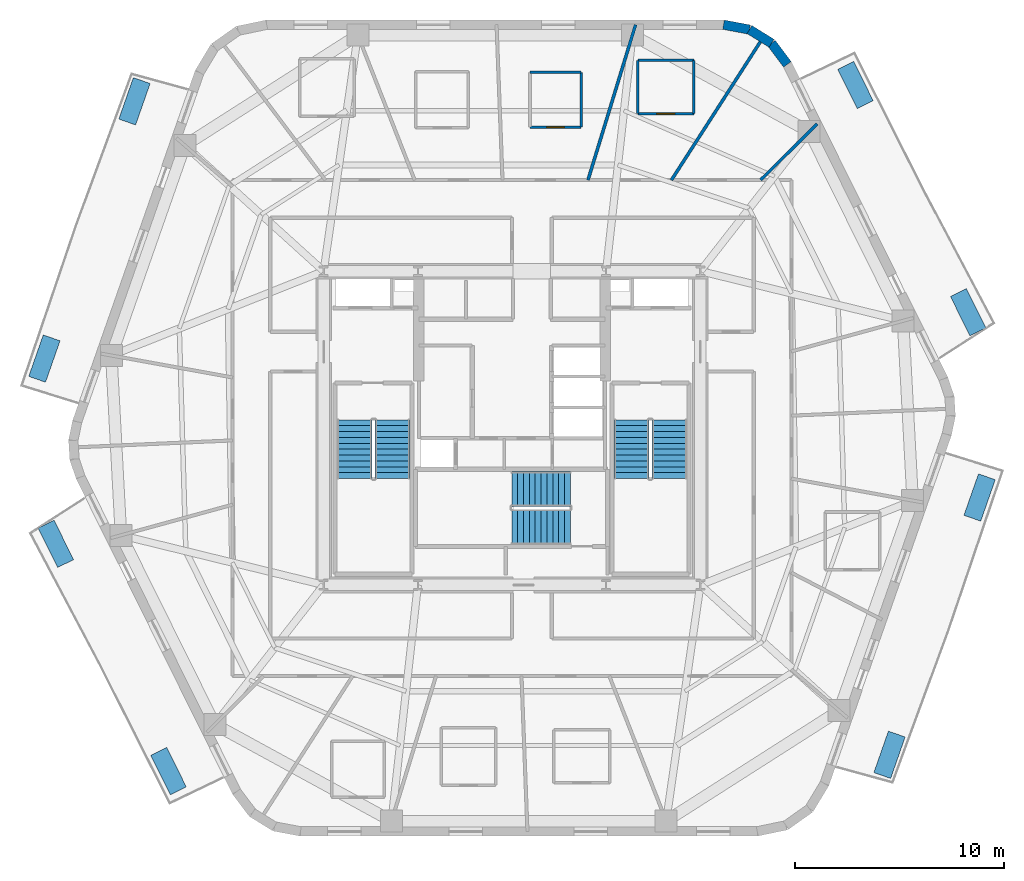
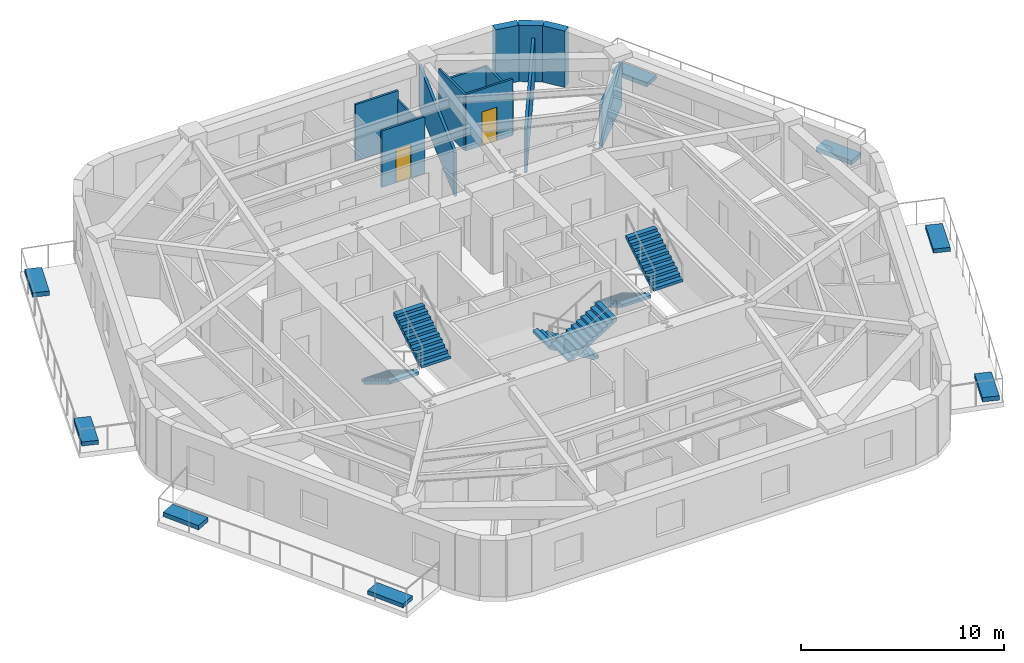
# One storey, part 7 of 10: 13 walls, 8 discrete accessories, 6 stair flights, 2 doors, 2 openings, 3 elements without a shape of their own.
"""IFC4 building model written with IfcOpenShell, lengths in metres."""

import ifcopenshell
import ifcopenshell.guid

model = None  # the IFC model being written
_history = None  # IfcOwnerHistory: only IFC2X3 demands one
_inside = {}  # id of a spatial element -> (the spatial element, [elements in it])
_under = {}  # id of a project, library or spatial element -> (it, [spatial elements below it])
_declared = {}  # id of a project -> (the project, [libraries it declares])
_typed = {}  # id of a type object -> (the type object, [elements of that type])
_made_of = {}  # id of a material, layer set ... -> (it, [elements and type objects made of it])


def new_model(schema):
    """Start an empty IFC model of exactly this schema.

    Asked for "IFC4X3", IfcOpenShell would pick the latest addendum, in which some entities
    have other attributes; the version numbers below select the first issue.
    IFC2X3 requires an IfcOwnerHistory on every rooted entity: one is made here for all.
    """
    global model, _history
    if schema == "IFC4X3":
        model = ifcopenshell.file(schema_version=(4, 3, 0, 0))
    else:
        model = ifcopenshell.file(schema=schema)
    _inside.clear()
    _under.clear()
    _declared.clear()
    _typed.clear()
    _made_of.clear()
    _history = None
    if model.schema == "IFC2X3":
        org = make("IfcOrganization", Name="unknown")
        user = make(
            "IfcPersonAndOrganization",
            ThePerson=make("IfcPerson", FamilyName="unknown"),
            TheOrganization=org,
        )
        app = make(
            "IfcApplication",
            ApplicationDeveloper=org,
            Version="unknown",
            ApplicationFullName="unknown",
            ApplicationIdentifier="unknown",
        )
        _history = make(
            "IfcOwnerHistory",
            OwningUser=user,
            OwningApplication=app,
            ChangeAction="ADDED",
            CreationDate=0,
        )
    return model


def make(cls, **values):
    """One entity of the class cls with the attributes given. An attribute that is None is left unset."""
    return model.create_entity(
        cls, **{name: value for name, value in values.items() if value is not None}
    )


def rooted(cls, **values):
    """An entity with a GlobalId (a new one), such as an element, a storey or a relation."""
    return make(cls, GlobalId=ifcopenshell.guid.new(), OwnerHistory=_history, **values)


def si_unit(unit_type, name, prefix=None):
    """IfcSIUnit, for example si_unit("LENGTHUNIT", "METRE", prefix="MILLI")."""
    return make("IfcSIUnit", UnitType=unit_type, Prefix=prefix, Name=name)


def assignment(units):
    """IfcUnitAssignment: the units of a project."""
    return None if units is None else make("IfcUnitAssignment", Units=units)


def point(xyz):
    """IfcCartesianPoint."""
    return None if xyz is None else make("IfcCartesianPoint", Coordinates=xyz)


def direction(xyz):
    """IfcDirection."""
    return None if xyz is None else make("IfcDirection", DirectionRatios=xyz)


def frame(location, z_axis=None, x_axis=None):
    """IfcAxis2Placement3D, a coordinate frame: its origin and axes. An axis left out is left unset."""
    return make(
        "IfcAxis2Placement3D",
        Location=point(location),
        Axis=direction(z_axis),
        RefDirection=direction(x_axis),
    )


def frame_2d(location, x_axis=None):
    """IfcAxis2Placement2D, a coordinate frame in the plane: its origin and x axis."""
    return make(
        "IfcAxis2Placement2D", Location=point(location), RefDirection=direction(x_axis)
    )


def origin():
    """The frame at (0, 0, 0) with its axes left unset."""
    return frame((0.0, 0.0, 0.0))


def origin_2d():
    """The frame at (0, 0) in the plane with its x axis left unset."""
    return frame_2d((0.0, 0.0))


def place(relative_to, where):
    """IfcLocalPlacement: puts the frame where relative to a parent placement (None: the world)."""
    return make(
        "IfcLocalPlacement", PlacementRelTo=relative_to, RelativePlacement=where
    )


def context(
    kind, dimensions, precision=None, world=None, true_north=None, identifier=None
):
    """IfcGeometricRepresentationContext, for example the 3D "Model" context."""
    return make(
        "IfcGeometricRepresentationContext",
        ContextIdentifier=identifier,
        ContextType=kind,
        CoordinateSpaceDimension=dimensions,
        Precision=precision,
        WorldCoordinateSystem=world,
        TrueNorth=true_north,
    )


def subcontext(parent, identifier, kind, view, scale=None):
    """IfcGeometricRepresentationSubContext, for example "Body" below "Model"."""
    return make(
        "IfcGeometricRepresentationSubContext",
        ContextIdentifier=identifier,
        ContextType=kind,
        ParentContext=parent,
        TargetScale=scale,
        TargetView=view,
    )


def project(units=None, contexts=None):
    """IfcProject with its units and contexts."""
    return rooted(
        "IfcProject",
        Name="project",
        RepresentationContexts=contexts,
        UnitsInContext=assignment(units),
    )


def spatial(cls, under=None, at=None, **own):
    """A site, building, storey or space (cls), placed at a placement, below another one or the project."""
    s = rooted(cls, ObjectPlacement=at, **own)
    if under is not None:
        _under.setdefault(under.id(), (under, []))[1].append(s)
    return s


def polyline(points):
    """IfcPolyline through the points."""
    return make("IfcPolyline", Points=[point(p) for p in points])


def profile(cls, at=None, kind="AREA", **sizes):
    """A parametric profile (cls). Its sizes go by their IFC names, for example OverallWidth=200.0."""
    return make(cls, ProfileType=kind, Position=at, **sizes)


def rectangle(**sizes):
    """IfcRectangleProfileDef."""
    return profile("IfcRectangleProfileDef", **sizes)


def outline(outer, holes=None, kind="AREA"):
    """IfcArbitraryClosedProfileDef: a profile drawn as a closed curve; with holes, ...WithVoids."""
    if holes is None:
        return make("IfcArbitraryClosedProfileDef", ProfileType=kind, OuterCurve=outer)
    return make(
        "IfcArbitraryProfileDefWithVoids",
        ProfileType=kind,
        OuterCurve=outer,
        InnerCurves=holes,
    )


def extrude(swept, where, along, depth):
    """IfcExtrudedAreaSolid: the profile swept, set in the frame where, extruded along a direction by depth."""
    return make(
        "IfcExtrudedAreaSolid",
        SweptArea=swept,
        Position=where,
        ExtrudedDirection=direction(along),
        Depth=depth,
    )


def shape(context_of_items, identifier, shape_type, items):
    """IfcShapeRepresentation: the items that make up one representation, for example the "Body"."""
    return make(
        "IfcShapeRepresentation",
        ContextOfItems=context_of_items,
        RepresentationIdentifier=identifier,
        RepresentationType=shape_type,
        Items=items,
    )


def material(Name=None, Category=None):
    """IfcMaterial."""
    return make("IfcMaterial", Name=Name, Category=Category)


def layer(
    of_material, thickness, ventilated=None, Name=None, Category=None, Priority=None
):
    """IfcMaterialLayer: one layer of a wall or slab, of a material (None: an air gap)."""
    return make(
        "IfcMaterialLayer",
        Material=of_material,
        LayerThickness=thickness,
        IsVentilated=ventilated,
        Name=Name,
        Category=Category,
        Priority=Priority,
    )


def layer_set(layers, Name=None):
    """IfcMaterialLayerSet."""
    return make("IfcMaterialLayerSet", MaterialLayers=layers, LayerSetName=Name)


def made_of(thing, what):
    """Note that an element or type object is made of a material, layer set ...; save() writes the relation."""
    if what is not None:
        _made_of.setdefault(what.id(), (what, []))[1].append(thing)
    return thing


def type_object(cls, material=None, **own):
    """A type object (cls), such as IfcWallType, which elements share."""
    return made_of(rooted(cls, **own), material)


def element(
    cls,
    number,
    at=None,
    inside=None,
    cuts=None,
    type_object=None,
    material=None,
    context=None,
    identifier="Body",
    shape_type=None,
    held_by="IfcProductDefinitionShape",
    body=None,
    shapes=None,
    **own,
):
    """One element of the class cls, such as IfcWall. Its Tag is "e" and its number.

    at: its placement. inside: the storey or other place that contains it. cuts: it is an
    opening in that element (IfcRelVoidsElement). A single representation is given by context,
    identifier, shape_type and body (its items); several are given by shapes. held_by: the class
    of the entity that holds the representations. save() writes the other relations.
    """
    e = rooted(cls, Tag="e%d" % number, ObjectPlacement=at, **own)
    if body is not None:
        shapes = [shape(context, identifier, shape_type, body)]
    if shapes is not None:
        e.Representation = make(held_by, Representations=shapes)
    if inside is not None:
        _inside.setdefault(inside.id(), (inside, []))[1].append(e)
    if cuts is not None:
        rooted(
            "IfcRelVoidsElement", RelatingBuildingElement=cuts, RelatedOpeningElement=e
        )
    if type_object is not None:
        _typed.setdefault(type_object.id(), (type_object, []))[1].append(e)
    return made_of(e, material)


def fill(opening, filler):
    """IfcRelFillsElement: the door or window that sits in an opening."""
    return rooted(
        "IfcRelFillsElement",
        RelatingOpeningElement=opening,
        RelatedBuildingElement=filler,
    )


def aggregate(whole, parts):
    """IfcRelAggregates: a whole, such as a stair, and the parts it consists of."""
    return rooted("IfcRelAggregates", RelatingObject=whole, RelatedObjects=parts)


def save(model, path):
    """Write the relations noted so far, then the file.

    IfcRelAggregates (storeys below a building ...), IfcRelContainedInSpatialStructure (elements
    in a storey), IfcRelDefinesByType, IfcRelAssociatesMaterial and IfcRelDeclares: one each for
    every whole, place, type object, material and project.
    """
    for whole, parts in _under.values():
        aggregate(whole, parts)
    for where, things in _inside.values():
        rooted(
            "IfcRelContainedInSpatialStructure",
            RelatedElements=things,
            RelatingStructure=where,
        )
    for kind, things in _typed.values():
        rooted("IfcRelDefinesByType", RelatedObjects=things, RelatingType=kind)
    for what, things in _made_of.values():
        rooted("IfcRelAssociatesMaterial", RelatedObjects=things, RelatingMaterial=what)
    for by, libraries in _declared.values():
        rooted("IfcRelDeclares", RelatingContext=by, RelatedDefinitions=libraries)
    model.write(path)


model = new_model("IFC4")

# Units and contexts
model_context = context("Model", 3, precision=1e-05, world=origin(), true_north=direction((0.0, 1.0)))
body_context = subcontext(model_context, "Body", "Model", "MODEL_VIEW")
ifc_project = project(units=[si_unit("LENGTHUNIT", "METRE"), si_unit("AREAUNIT", "SQUARE_METRE"), si_unit("VOLUMEUNIT", "CUBIC_METRE"), si_unit("PLANEANGLEUNIT", "RADIAN"), si_unit("MASSUNIT", "GRAM", prefix="KILO")], contexts=[model_context])

# Site, building, storey
site_placement = place(None, origin())
site = spatial("IfcSite", under=ifc_project, at=site_placement, CompositionType="ELEMENT")
building_placement = place(site_placement, origin())
building = spatial("IfcBuilding", under=site, at=building_placement, Name="Kilnhurst Terrace Hotel", CompositionType="ELEMENT")
storey_placement = place(building_placement, frame((0.0, 0.0, 183.0)))
storey = spatial("IfcBuildingStorey", under=building, at=storey_placement, Name="L45", CompositionType="ELEMENT", Elevation=183.0)

# Walls
ifc_material_1 = material(Name="Precast concrete C40/50", Category="concrete")
ifc_layer_1 = layer(ifc_material_1, 0.449951171875, Name="Precast concrete C40/50")
ifc_layer_set_1 = layer_set([ifc_layer_1], Name="Precast concrete C40/50")
wall_type_1 = type_object("IfcWallType", Name="WL-BRK-450", PredefinedType="SOLIDWALL", material=ifc_layer_set_1)
wall_1_placement = place(storey_placement, frame((13.162353515625, 17.380615234375, 0.0), z_axis=(0.0, 0.0, 1.0), x_axis=(-0.601515770517, 0.798860925205, 0.0)))
element("IfcWall", 1, at=wall_1_placement, inside=storey, type_object=wall_type_1, Name="L45 Rounded Corner Brick Wall C4.1", PredefinedType="SOLIDWALL", context=body_context, shape_type="SweptSolid", body=[
    extrude(rectangle(XDim=1.261962890625, YDim=0.449951171875, at=frame_2d((0.630859375, 0.0))), origin(), (0.0, 0.0, 1.0), 3.39990234375),
])
wall_2_placement = place(storey_placement, frame((12.4033203125, 18.388671875, 0.0), z_axis=(0.0, 0.0, 1.0), x_axis=(-0.849795170926, 0.527113049991, 0.0)))
element("IfcWall", 2, at=wall_2_placement, inside=storey, type_object=wall_type_1, Name="L45 Rounded Corner Brick Wall C4.2", PredefinedType="SOLIDWALL", context=body_context, shape_type="SweptSolid", body=[
    extrude(rectangle(XDim=1.24072265625, YDim=0.449951171875, at=frame_2d((0.620361328125, 0.0))), origin(), (0.0, 0.0, 1.0), 3.39990234375),
])
wall_3_placement = place(storey_placement, frame((11.348876953125, 19.042724609375, 0.0), z_axis=(0.0, 0.0, 1.0), x_axis=(-0.982931267051, 0.183973161772, 0.0)))
element("IfcWall", 3, at=wall_3_placement, inside=storey, type_object=wall_type_1, Name="L45 Rounded Corner Brick Wall C4.3", PredefinedType="SOLIDWALL", context=body_context, shape_type="SweptSolid", body=[
    extrude(rectangle(XDim=1.261962890625, YDim=0.449951171875, at=frame_2d((0.630859375, 0.0))), origin(), (0.0, 0.0, 1.0), 3.39990234375),
])
ifc_material_2 = material(Name="STC-58 Acoustic Twin-Frame Guestroom Demising Partition")
ifc_layer_2 = layer(ifc_material_2, 0.14990234375, Name="STC-58 Acoustic Twin-Frame Guestroom Demising Partition")
ifc_layer_set_2 = layer_set([ifc_layer_2], Name="STC-58 Acoustic Twin-Frame Guestroom Demising Partition")
wall_type_2 = type_object("IfcWallType", Name="WL-DEM-150", PredefinedType="PARTITIONING", material=ifc_layer_set_2)
wall_4_placement = place(storey_placement, frame((11.8818359375, 11.85009765625, 0.0), z_axis=(0.0, 0.0, 1.0), x_axis=(0.708037373639, 0.706174962407, 0.0)))
element("IfcWall", 4, at=wall_4_placement, inside=storey, type_object=wall_type_2, Name="L45 Interior Wall WL-L45-DEM-COL02-03-1", PredefinedType="PARTITIONING", context=body_context, shape_type="SweptSolid", body=[
    extrude(rectangle(XDim=3.801513671875, YDim=0.14990234375, at=frame_2d((1.90087890625, 0.0))), origin(), (0.0, 0.0, 1.0), 2.639892578125),
])
wall_5_placement = place(storey_placement, frame((7.619140625, 11.85009765625, 0.0), z_axis=(0.0, 0.0, 1.0), x_axis=(0.540829263478, 0.841132396098, 0.0)))
element("IfcWall", 5, at=wall_5_placement, inside=storey, type_object=wall_type_2, Name="L45 Interior Wall WL-L45-DEM-MID02-04-1", PredefinedType="PARTITIONING", context=body_context, shape_type="SweptSolid", body=[
    extrude(rectangle(XDim=7.919189453125, YDim=0.14990234375, at=frame_2d((3.95947265625, 0.0))), origin(), (0.0, 0.0, 1.0), 2.639892578125),
])
wall_6_placement = place(storey_placement, frame((3.63134765625, 11.85009765625, 0.0), z_axis=(0.0, 0.0, 1.0), x_axis=(0.293007573338, 0.956110120209, 0.0)))
element("IfcWall", 6, at=wall_6_placement, inside=storey, type_object=wall_type_2, Name="L45 Interior Wall WL-L45-DEM-COL03-05-1", PredefinedType="PARTITIONING", context=body_context, shape_type="SweptSolid", body=[
    extrude(rectangle(XDim=7.765625, YDim=0.14990234375, at=frame_2d((3.8828125, 0.0))), origin(), (0.0, 0.0, 1.0), 2.639892578125),
])

# Wall, opening, door
ifc_material_3 = material(Name="120 mm Moisture-Resistant Tile-Backed Bathroom Partition")
ifc_layer_3 = layer(ifc_material_3, 0.1201171875, Name="120 mm Moisture-Resistant Tile-Backed Bathroom Partition")
ifc_layer_set_3 = layer_set([ifc_layer_3], Name="120 mm Moisture-Resistant Tile-Backed Bathroom Partition")
wall_type_3 = type_object("IfcWallType", Name="WL-PART-120", PredefinedType="PARTITIONING", material=ifc_layer_set_3)
wall_7_placement = place(storey_placement, frame((6.013916015625, 15.029052734375, 0.0), z_axis=(0.0, 0.0, 1.0), x_axis=(1.0, 0.0, 0.0)))
wall_7 = element("IfcWall", 7, at=wall_7_placement, inside=storey, type_object=wall_type_3, Name="L45 Interior Wall WL-L45-BTH-04-1", PredefinedType="PARTITIONING", context=body_context, shape_type="SweptSolid", body=[
    extrude(rectangle(XDim=2.68017578125, YDim=0.1201171875, at=frame_2d((1.340087890625, 0.0))), origin(), (0.0, 0.0, 1.0), 3.39990234375),
])
opening_1_placement = place(wall_7_placement, frame((0.9150390625, 0.0, 0.0)))
opening_1 = element("IfcOpeningElement", 8, at=opening_1_placement, cuts=wall_7, Name="Opening D-08A", PredefinedType="OPENING", context=body_context, shape_type="SweptSolid", body=[
    extrude(rectangle(XDim=0.85009765625, YDim=2.030029296875, at=frame_2d((0.425048828125, 1.01513671875))), frame((0.0, 0.070068359375, 0.0), z_axis=(0.0, -1.0, 0.0), x_axis=(1.0, 0.0, 0.0)), (0.0, 0.0, 1.0), 0.14013671875),
])
ifc_material_4 = material(Name="Moisture-Resistant Lacquered En-suite Bathroom Door")
door_type = type_object("IfcDoorType", Name="DR-INT-850", OperationType="NOTDEFINED", PredefinedType="DOOR", material=ifc_material_4)
door_1_placement = place(opening_1_placement, origin())
door_1 = element("IfcDoor", 9, at=door_1_placement, inside=storey, type_object=door_type, Name="L45 En-suite Bathroom Door 4", OperationType="SINGLE_SWING_LEFT", OverallHeight=2.030029296875, OverallWidth=0.85009765625, PredefinedType="DOOR", context=body_context, shape_type="SweptSolid", body=[
    extrude(rectangle(XDim=0.85009765625, YDim=2.030029296875, at=frame_2d((0.425048828125, 1.01513671875))), frame((0.0, 0.02490234375, 0.0), z_axis=(0.0, -1.0, 0.0), x_axis=(1.0, 0.0, 0.0)), (0.0, 0.0, 1.0), 0.050048828125),
])
fill(opening_1, door_1)

# Walls
wall_8_placement = place(storey_placement, frame((8.694091796875, 15.029052734375, 0.0), z_axis=(0.0, 0.0, 1.0), x_axis=(0.0, 1.0, 0.0)))
element("IfcWall", 10, at=wall_8_placement, inside=storey, type_object=wall_type_3, Name="L45 Interior Wall WL-L45-BTH-04-2", PredefinedType="PARTITIONING", context=body_context, shape_type="SweptSolid", body=[
    extrude(rectangle(XDim=2.5400390625, YDim=0.1201171875, at=frame_2d((1.27001953125, 0.0))), origin(), (0.0, 0.0, 1.0), 2.639892578125),
])
wall_9_placement = place(storey_placement, frame((8.694091796875, 17.569091796875, 0.0), z_axis=(0.0, 0.0, 1.0), x_axis=(-1.0, 0.0, 0.0)))
element("IfcWall", 11, at=wall_9_placement, inside=storey, type_object=wall_type_3, Name="L45 Interior Wall WL-L45-BTH-04-3", PredefinedType="PARTITIONING", context=body_context, shape_type="SweptSolid", body=[
    extrude(rectangle(XDim=2.68017578125, YDim=0.1201171875, at=frame_2d((1.340087890625, 0.0))), origin(), (0.0, 0.0, 1.0), 2.639892578125),
])
wall_10_placement = place(storey_placement, frame((6.013916015625, 17.569091796875, 0.0), z_axis=(0.0, 0.0, 1.0), x_axis=(0.0, -1.0, 0.0)))
element("IfcWall", 12, at=wall_10_placement, inside=storey, type_object=wall_type_3, Name="L45 Interior Wall WL-L45-BTH-04-4", PredefinedType="PARTITIONING", context=body_context, shape_type="SweptSolid", body=[
    extrude(rectangle(XDim=2.5400390625, YDim=0.1201171875, at=frame_2d((1.27001953125, 0.0))), origin(), (0.0, 0.0, 1.0), 3.39990234375),
])

# Wall, opening, door
wall_11_placement = place(storey_placement, frame((0.860107421875, 14.383056640625, 0.0), z_axis=(0.0, 0.0, 1.0), x_axis=(1.0, 0.0, 0.0)))
wall_11 = element("IfcWall", 13, at=wall_11_placement, inside=storey, type_object=wall_type_3, Name="L45 Interior Wall WL-L45-BTH-05-1", PredefinedType="PARTITIONING", context=body_context, shape_type="SweptSolid", body=[
    extrude(rectangle(XDim=2.43994140625, YDim=0.1201171875, at=frame_2d((1.219970703125, 0.0))), origin(), (0.0, 0.0, 1.0), 3.39990234375),
])
opening_2_placement = place(wall_11_placement, frame((0.794921875, 0.0, 0.0)))
opening_2 = element("IfcOpeningElement", 14, at=opening_2_placement, cuts=wall_11, Name="Opening D-08A", PredefinedType="OPENING", context=body_context, shape_type="SweptSolid", body=[
    extrude(rectangle(XDim=0.85009765625, YDim=2.030029296875, at=frame_2d((0.425048828125, 1.01513671875))), frame((0.0, 0.070068359375, 0.0), z_axis=(0.0, -1.0, 0.0), x_axis=(1.0, 0.0, 0.0)), (0.0, 0.0, 1.0), 0.14013671875),
])
door_2_placement = place(opening_2_placement, origin())
door_2 = element("IfcDoor", 15, at=door_2_placement, inside=storey, type_object=door_type, Name="L45 En-suite Bathroom Door 5", OperationType="SINGLE_SWING_RIGHT", OverallHeight=2.030029296875, OverallWidth=0.85009765625, PredefinedType="DOOR", context=body_context, shape_type="SweptSolid", body=[
    extrude(rectangle(XDim=0.85009765625, YDim=2.030029296875, at=frame_2d((0.425048828125, 1.01513671875))), frame((0.0, 0.02490234375, 0.0), z_axis=(0.0, -1.0, 0.0), x_axis=(1.0, 0.0, 0.0)), (0.0, 0.0, 1.0), 0.050048828125),
])
fill(opening_2, door_2)

# Walls
wall_12_placement = place(storey_placement, frame((3.300048828125, 14.383056640625, 0.0), z_axis=(0.0, 0.0, 1.0), x_axis=(0.0, 1.0, 0.0)))
element("IfcWall", 16, at=wall_12_placement, inside=storey, type_object=wall_type_3, Name="L45 Interior Wall WL-L45-BTH-05-2", PredefinedType="PARTITIONING", context=body_context, shape_type="SweptSolid", body=[
    extrude(rectangle(XDim=2.60986328125, YDim=0.1201171875, at=frame_2d((1.304931640625, 0.0))), origin(), (0.0, 0.0, 1.0), 2.840576171875),
])
wall_13_placement = place(storey_placement, frame((3.300048828125, 16.992919921875, 0.0), z_axis=(0.0, 0.0, 1.0), x_axis=(-1.0, 0.0, 0.0)))
element("IfcWall", 17, at=wall_13_placement, inside=storey, type_object=wall_type_3, Name="L45 Interior Wall WL-L45-BTH-05-3", PredefinedType="PARTITIONING", context=body_context, shape_type="SweptSolid", body=[
    extrude(rectangle(XDim=2.43994140625, YDim=0.1201171875, at=frame_2d((1.219970703125, 0.0))), origin(), (0.0, 0.0, 1.0), 3.39990234375),
])

# Stair, stair flights
ifc_material_5 = material(Name="Concrete C50/60", Category="concrete")
stair_type = type_object("IfcStairType", Name="STR-CORE-1660", PredefinedType="HALF_TURN_STAIR", material=ifc_material_5)
stair_1_placement = place(storey_placement, origin())
stair_1 = element("IfcStair", 18, at=stair_1_placement, inside=storey, type_object=stair_type, Name="L45 ST-1", PredefinedType="HALF_TURN_STAIR")
stair_flight_type = type_object("IfcStairFlightType", Name="FLT-RC-1660", PredefinedType="STRAIGHT", material=ifc_material_5)
stair_flight_1_placement = place(storey_placement, frame((-7.52001953125, 0.389892578125, 0.0), z_axis=(0.0, 0.0, 1.0), x_axis=(0.0, -1.0, 0.0)))
stair_flight_1 = element("IfcStairFlight", 19, at=stair_flight_1_placement, type_object=stair_flight_type, Name="ST-1 flight 1", NumberOfRisers=11, NumberOfTreads=10, PredefinedType="STRAIGHT", RiserHeight=0.168181818, TreadLength=0.28, context=body_context, shape_type="SweptSolid", body=[
    extrude(outline(polyline([(0.0, 0.0), (0.0, 0.168212890625), (0.280029296875, 0.168212890625), (0.280029296875, 0.33642578125), (0.56005859375, 0.33642578125), (0.56005859375, 0.504638671875), (0.840087890625, 0.504638671875), (0.840087890625, 0.672607421875), (1.1201171875, 0.672607421875), (1.1201171875, 0.8408203125), (1.39990234375, 0.8408203125), (1.39990234375, 1.009033203125), (1.679931640625, 1.009033203125), (1.679931640625, 1.17724609375), (1.9599609375, 1.17724609375), (1.9599609375, 1.345458984375), (2.239990234375, 1.345458984375), (2.239990234375, 1.513671875), (2.52001953125, 1.513671875), (2.52001953125, 1.681884765625), (2.800048828125, 1.681884765625), (2.800048828125, 1.85009765625), (2.800048828125, 1.5068359375), (0.291015625, 0.0), (0.0, 0.0)])), frame((0.0, 0.830078125, 0.0), z_axis=(0.0, -1.0, 0.0), x_axis=(1.0, 0.0, 0.0)), (0.0, 0.0, 1.0), 1.659912109375),
])
stair_flight_2_placement = place(storey_placement, frame((-5.7099609375, -2.409912109375, 1.85009765625), z_axis=(0.0, 0.0, 1.0), x_axis=(0.0, 1.0, 0.0)))
stair_flight_2 = element("IfcStairFlight", 20, at=stair_flight_2_placement, type_object=stair_flight_type, Name="ST-1 flight 2", NumberOfRisers=11, NumberOfTreads=10, PredefinedType="STRAIGHT", RiserHeight=0.168181818, TreadLength=0.28, context=body_context, shape_type="SweptSolid", body=[
    extrude(outline(polyline([(0.0, 0.0), (0.0, 0.168212890625), (0.280029296875, 0.168212890625), (0.280029296875, 0.33642578125), (0.56005859375, 0.33642578125), (0.56005859375, 0.504638671875), (0.840087890625, 0.504638671875), (0.840087890625, 0.672607421875), (1.1201171875, 0.672607421875), (1.1201171875, 0.8408203125), (1.39990234375, 0.8408203125), (1.39990234375, 1.009033203125), (1.679931640625, 1.009033203125), (1.679931640625, 1.17724609375), (1.9599609375, 1.17724609375), (1.9599609375, 1.345458984375), (2.239990234375, 1.345458984375), (2.239990234375, 1.513671875), (2.52001953125, 1.513671875), (2.52001953125, 1.681884765625), (2.800048828125, 1.681884765625), (2.800048828125, 1.85009765625), (2.800048828125, 1.5068359375), (0.291015625, 0.0), (0.0, 0.0)])), frame((0.0, 0.830078125, 0.0), z_axis=(0.0, -1.0, 0.0), x_axis=(1.0, 0.0, 0.0)), (0.0, 0.0, 1.0), 1.659912109375),
])
aggregate(stair_1, [stair_flight_1, stair_flight_2])

stair_2_placement = place(storey_placement, origin())
stair_2 = element("IfcStair", 21, at=stair_2_placement, inside=storey, type_object=stair_type, Name="L45 ST-2", PredefinedType="HALF_TURN_STAIR")
stair_flight_3_placement = place(storey_placement, frame((5.7099609375, 0.389892578125, 0.0), z_axis=(0.0, 0.0, 1.0), x_axis=(0.0, -1.0, 0.0)))
stair_flight_3 = element("IfcStairFlight", 22, at=stair_flight_3_placement, type_object=stair_flight_type, Name="ST-2 flight 1", NumberOfRisers=11, NumberOfTreads=10, PredefinedType="STRAIGHT", RiserHeight=0.168181818, TreadLength=0.28, context=body_context, shape_type="SweptSolid", body=[
    extrude(outline(polyline([(0.0, 0.0), (0.0, 0.168212890625), (0.280029296875, 0.168212890625), (0.280029296875, 0.33642578125), (0.56005859375, 0.33642578125), (0.56005859375, 0.504638671875), (0.840087890625, 0.504638671875), (0.840087890625, 0.672607421875), (1.1201171875, 0.672607421875), (1.1201171875, 0.8408203125), (1.39990234375, 0.8408203125), (1.39990234375, 1.009033203125), (1.679931640625, 1.009033203125), (1.679931640625, 1.17724609375), (1.9599609375, 1.17724609375), (1.9599609375, 1.345458984375), (2.239990234375, 1.345458984375), (2.239990234375, 1.513671875), (2.52001953125, 1.513671875), (2.52001953125, 1.681884765625), (2.800048828125, 1.681884765625), (2.800048828125, 1.85009765625), (2.800048828125, 1.5068359375), (0.291015625, 0.0), (0.0, 0.0)])), frame((0.0, 0.830078125, 0.0), z_axis=(0.0, -1.0, 0.0), x_axis=(1.0, 0.0, 0.0)), (0.0, 0.0, 1.0), 1.659912109375),
])
stair_flight_4_placement = place(storey_placement, frame((7.52001953125, -2.409912109375, 1.85009765625), z_axis=(0.0, 0.0, 1.0), x_axis=(0.0, 1.0, 0.0)))
stair_flight_4 = element("IfcStairFlight", 23, at=stair_flight_4_placement, type_object=stair_flight_type, Name="ST-2 flight 2", NumberOfRisers=11, NumberOfTreads=10, PredefinedType="STRAIGHT", RiserHeight=0.168181818, TreadLength=0.28, context=body_context, shape_type="SweptSolid", body=[
    extrude(outline(polyline([(0.0, 0.0), (0.0, 0.168212890625), (0.280029296875, 0.168212890625), (0.280029296875, 0.33642578125), (0.56005859375, 0.33642578125), (0.56005859375, 0.504638671875), (0.840087890625, 0.504638671875), (0.840087890625, 0.672607421875), (1.1201171875, 0.672607421875), (1.1201171875, 0.8408203125), (1.39990234375, 0.8408203125), (1.39990234375, 1.009033203125), (1.679931640625, 1.009033203125), (1.679931640625, 1.17724609375), (1.9599609375, 1.17724609375), (1.9599609375, 1.345458984375), (2.239990234375, 1.345458984375), (2.239990234375, 1.513671875), (2.52001953125, 1.513671875), (2.52001953125, 1.681884765625), (2.800048828125, 1.681884765625), (2.800048828125, 1.85009765625), (2.800048828125, 1.5068359375), (0.291015625, 0.0), (0.0, 0.0)])), frame((0.0, 0.830078125, 0.0), z_axis=(0.0, -1.0, 0.0), x_axis=(1.0, 0.0, 0.0)), (0.0, 0.0, 1.0), 1.659912109375),
])
aggregate(stair_2, [stair_flight_3, stair_flight_4])

stair_3_placement = place(storey_placement, origin())
stair_3 = element("IfcStair", 24, at=stair_3_placement, inside=storey, type_object=stair_type, Name="L45 ST-3", PredefinedType="HALF_TURN_STAIR")
stair_flight_5_placement = place(storey_placement, frame((2.7900390625, -2.909912109375, 0.0), z_axis=(0.0, 0.0, 1.0), x_axis=(-1.0, 0.0, 0.0)))
stair_flight_5 = element("IfcStairFlight", 25, at=stair_flight_5_placement, type_object=stair_flight_type, Name="ST-3 flight 1", NumberOfRisers=11, NumberOfTreads=10, PredefinedType="STRAIGHT", RiserHeight=0.168181818, TreadLength=0.28, context=body_context, shape_type="SweptSolid", body=[
    extrude(outline(polyline([(0.0, 0.0), (0.0, 0.168212890625), (0.280029296875, 0.168212890625), (0.280029296875, 0.33642578125), (0.56005859375, 0.33642578125), (0.56005859375, 0.504638671875), (0.840087890625, 0.504638671875), (0.840087890625, 0.672607421875), (1.1201171875, 0.672607421875), (1.1201171875, 0.8408203125), (1.39990234375, 0.8408203125), (1.39990234375, 1.009033203125), (1.679931640625, 1.009033203125), (1.679931640625, 1.17724609375), (1.9599609375, 1.17724609375), (1.9599609375, 1.345458984375), (2.239990234375, 1.345458984375), (2.239990234375, 1.513671875), (2.52001953125, 1.513671875), (2.52001953125, 1.681884765625), (2.800048828125, 1.681884765625), (2.800048828125, 1.85009765625), (2.800048828125, 1.5068359375), (0.291015625, 0.0), (0.0, 0.0)])), frame((0.0, 0.830078125, 0.0), z_axis=(0.0, -1.0, 0.0), x_axis=(1.0, 0.0, 0.0)), (0.0, 0.0, 1.0), 1.659912109375),
])
stair_flight_6_placement = place(storey_placement, frame((-0.010009765625, -4.719970703125, 1.85009765625), z_axis=(0.0, 0.0, 1.0), x_axis=(1.0, 0.0, 0.0)))
stair_flight_6 = element("IfcStairFlight", 26, at=stair_flight_6_placement, type_object=stair_flight_type, Name="ST-3 flight 2", NumberOfRisers=11, NumberOfTreads=10, PredefinedType="STRAIGHT", RiserHeight=0.168181818, TreadLength=0.28, context=body_context, shape_type="SweptSolid", body=[
    extrude(outline(polyline([(0.0, 0.0), (0.0, 0.168212890625), (0.280029296875, 0.168212890625), (0.280029296875, 0.33642578125), (0.56005859375, 0.33642578125), (0.56005859375, 0.504638671875), (0.840087890625, 0.504638671875), (0.840087890625, 0.672607421875), (1.1201171875, 0.672607421875), (1.1201171875, 0.8408203125), (1.39990234375, 0.8408203125), (1.39990234375, 1.009033203125), (1.679931640625, 1.009033203125), (1.679931640625, 1.17724609375), (1.9599609375, 1.17724609375), (1.9599609375, 1.345458984375), (2.239990234375, 1.345458984375), (2.239990234375, 1.513671875), (2.52001953125, 1.513671875), (2.52001953125, 1.681884765625), (2.800048828125, 1.681884765625), (2.800048828125, 1.85009765625), (2.800048828125, 1.5068359375), (0.291015625, 0.0), (0.0, 0.0)])), frame((0.0, 0.830078125, 0.0), z_axis=(0.0, -1.0, 0.0), x_axis=(1.0, 0.0, 0.0)), (0.0, 0.0, 1.0), 1.659912109375),
])
aggregate(stair_3, [stair_flight_5, stair_flight_6])

# Discrete accessories
ifc_material_6 = material(Name="Precast Concrete C40/50 Shrub Planter", Category="concrete")
discrete_accessory_type_1 = type_object("IfcDiscreteAccessoryType", Name="PLN-SHRUB-240", PredefinedType="USERDEFINED", material=ifc_material_6)
for number, where, z_axis, x_axis, name in (
    (27, (22.34619140625, -3.319580078125, 0.0), (0.0, 0.0, 1.0), (0.330432029284, 0.943829790811, 0.0), "L45 Structural Tree Planter Box PLANTER BAL-L1A.2"),
    (28, (16.414306640625, 16.393310546875, 0.0), (0.0, 0.0, 1.0), (-0.444244308887, 0.895905683664, 0.0), "L45 Structural Tree Planter Box PLANTER BAL-L1B.2"),
    (29, (-22.34619140625, 3.319580078125, 0.0), (0.0, 0.0, 1.0), (-0.330432029284, -0.943829790811, 0.0), "L45 Structural Tree Planter Box PLANTER BAL-L2A.2"),
    (30, (-16.414306640625, -16.393310546875, 0.0), (0.0, 0.0, 1.0), (0.444244308887, -0.895905683664, 0.0), "L45 Structural Tree Planter Box PLANTER BAL-L2B.2"),
):
    element("IfcDiscreteAccessory", number, at=place(storey_placement, frame(where, z_axis=z_axis, x_axis=x_axis)), inside=storey, type_object=discrete_accessory_type_1, Name=name, ObjectType="PLANTER", PredefinedType="USERDEFINED", context=body_context, shape_type="SweptSolid", body=[
        extrude(rectangle(XDim=2.10009765625, YDim=0.85009765625, at=origin_2d()), origin(), (0.0, 0.0, 1.0), 0.239990234375),
    ])
ifc_material_7 = material(Name="Precast Concrete C40/50 Tree Planter", Category="concrete")
discrete_accessory_type_2 = type_object("IfcDiscreteAccessoryType", Name="PLN-TREE-260", PredefinedType="USERDEFINED", material=ifc_material_7)
for number, where, z_axis, x_axis, name in (
    (31, (18.04150390625, -15.614990234375, 0.0), (0.0, 0.0, 1.0), (0.330432029284, 0.943829790811, 0.0), "L45 Structural Tree Planter Box PLANTER BAL-L1A.1"),
    (32, (21.79833984375, 5.535400390625, 0.0), (0.0, 0.0, 1.0), (-0.444244308887, 0.895905683664, 0.0), "L45 Structural Tree Planter Box PLANTER BAL-L1B.1"),
    (33, (-18.04150390625, 15.614990234375, 0.0), (0.0, 0.0, 1.0), (-0.330432029284, -0.943829790811, 0.0), "L45 Structural Tree Planter Box PLANTER BAL-L2A.1"),
    (34, (-21.79833984375, -5.535400390625, 0.0), (0.0, 0.0, 1.0), (0.444244308887, -0.895905683664, 0.0), "L45 Structural Tree Planter Box PLANTER BAL-L2B.1"),
):
    element("IfcDiscreteAccessory", number, at=place(storey_placement, frame(where, z_axis=z_axis, x_axis=x_axis)), inside=storey, type_object=discrete_accessory_type_2, Name=name, ObjectType="PLANTER", PredefinedType="USERDEFINED", context=body_context, shape_type="SweptSolid", body=[
        extrude(rectangle(XDim=2.10009765625, YDim=0.85009765625, at=origin_2d()), origin(), (0.0, 0.0, 1.0), 0.260009765625),
    ])

save(model, "model.ifc")
